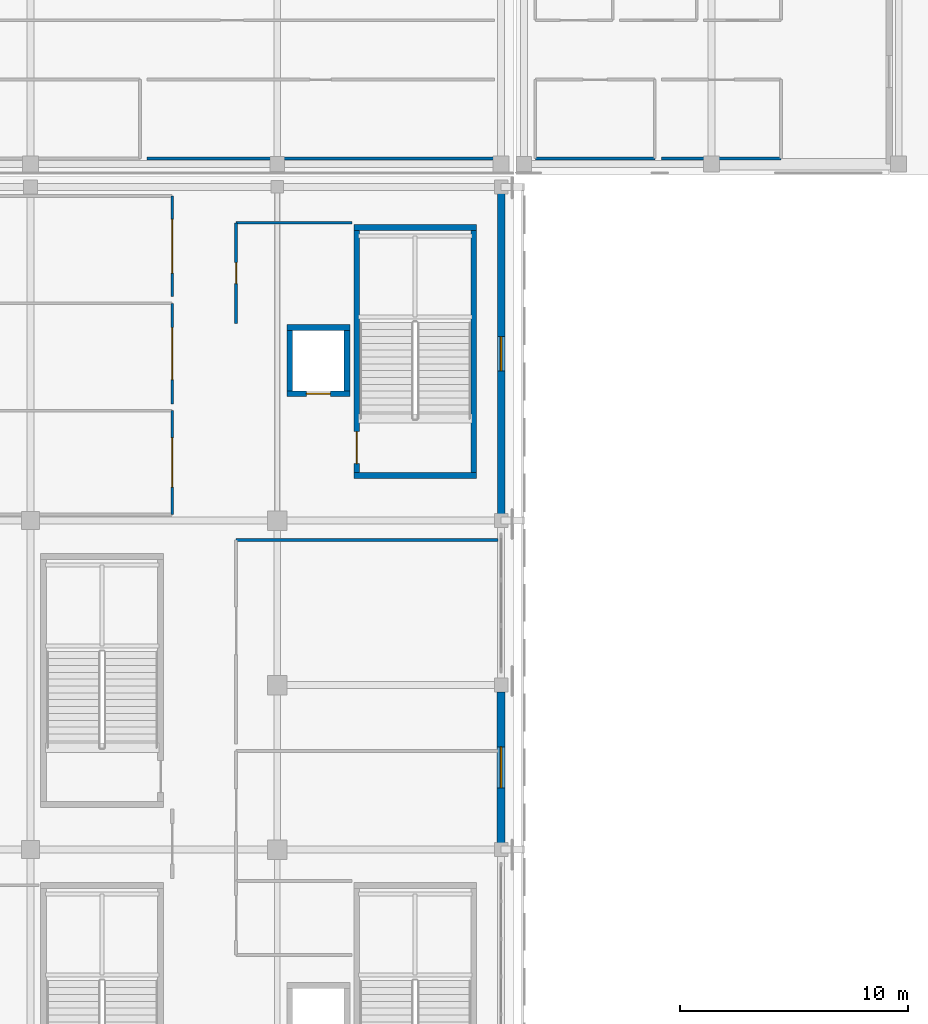
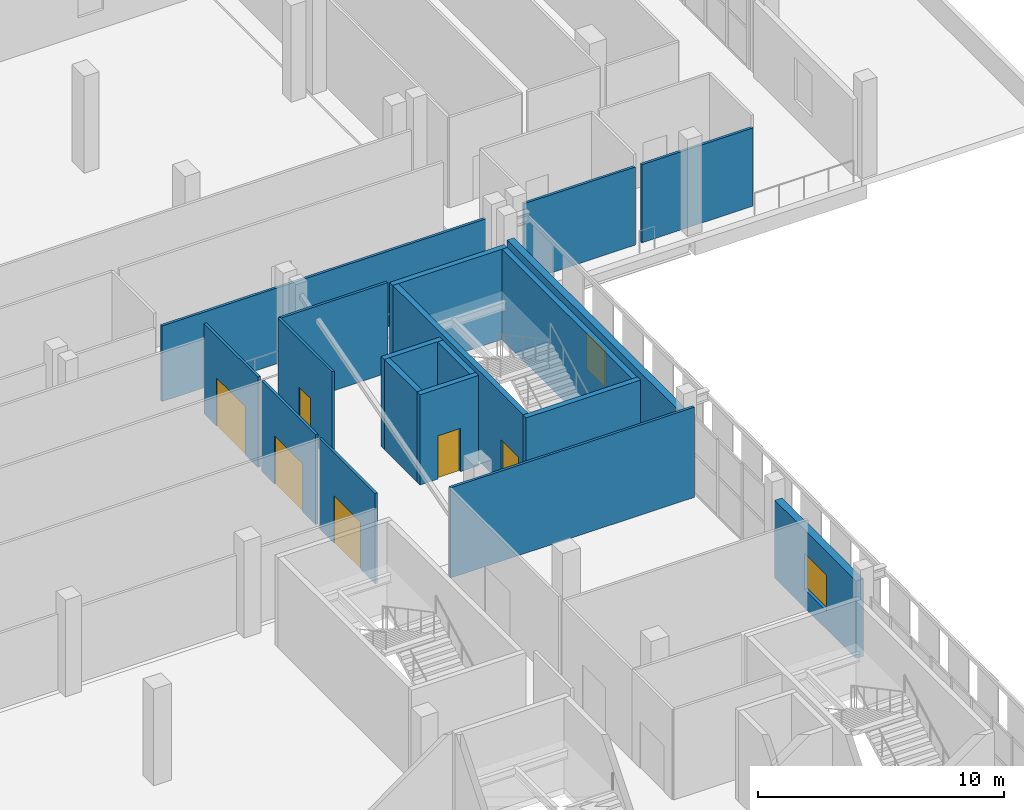
# One storey, part 101 of 142: 19 walls, 6 doors, 2 windows, 8 openings.
"""IFC4 building model written with IfcOpenShell, lengths in metres."""

from ifc_helpers import new_model, si_unit, direction, frame, frame_2d, origin, place, context, subcontext, project, spatial, rectangle, extrude, material, layer, layer_set, type_object, element, fill, save


model = new_model("IFC4")

# Units and contexts
model_context = context("Model", 3, precision=1e-05, world=origin(), true_north=direction((0.0, 1.0)))
body_context = subcontext(model_context, "Body", "Model", "MODEL_VIEW")
ifc_project = project(units=[si_unit("LENGTHUNIT", "METRE"), si_unit("AREAUNIT", "SQUARE_METRE"), si_unit("VOLUMEUNIT", "CUBIC_METRE"), si_unit("PLANEANGLEUNIT", "RADIAN"), si_unit("MASSUNIT", "GRAM", prefix="KILO")], contexts=[model_context])

# Site, building, storey
site_placement = place(None, origin())
site = spatial("IfcSite", under=ifc_project, at=site_placement, CompositionType="ELEMENT")
building_placement = place(site_placement, origin())
building = spatial("IfcBuilding", under=site, at=building_placement, Name="Koshinbarg Plaza Stadium", CompositionType="ELEMENT")
storey_placement = place(building_placement, frame((0.0, 0.0, 10.199951171875)))
storey = spatial("IfcBuildingStorey", under=building, at=storey_placement, Name="L02", CompositionType="ELEMENT", Elevation=10.199951171875)

# Walls
ifc_material_1 = material(Name="Concrete C40/50", Category="concrete")
ifc_layer_1 = layer(ifc_material_1, 0.25)
ifc_layer_set_1 = layer_set([ifc_layer_1], Name="Concrete C40/50")
wall_type_1 = type_object("IfcWallType", Name="WL-CORE-250", PredefinedType="SHEAR", material=ifc_layer_set_1)
for number, where, z_axis, x_axis, name in (
    (1, (211.949951171875, 113.875, 0.0), (0.0, 0.0, 1.0), (1.0, 0.0, 0.0), "L02 core stair shear wall C10-near IWL-L02-0242"),
    (2, (217.320068359375, 124.72509765625, 0.0), (0.0, 0.0, 1.0), (-1.0, 0.0, 0.0), "L02 core stair shear wall C10-far IWL-L02-0243"),
):
    element("IfcWall", number, at=place(storey_placement, frame(where, z_axis=z_axis, x_axis=x_axis)), inside=storey, type_object=wall_type_1, Name=name, PredefinedType="SHEAR", context=body_context, shape_type="SweptSolid", body=[
        extrude(rectangle(XDim=5.3701171875, YDim=0.25, at=frame_2d((2.68505859375, 0.0))), origin(), (0.0, 0.0, 1.0), 4.47998046875),
    ])

# Wall, opening, door
wall_1_placement = place(storey_placement, frame((212.074951171875, 113.875, 0.0), z_axis=(0.0, 0.0, 1.0), x_axis=(0.0, 1.0, 0.0)))
wall_1 = element("IfcWall", 3, at=wall_1_placement, inside=storey, type_object=wall_type_1, Name="L02 core stair shear wall C10-left IWL-L02-0244", PredefinedType="SHEAR", context=body_context, shape_type="SweptSolid", body=[
    extrude(rectangle(XDim=10.85009765625, YDim=0.25, at=frame_2d((5.425048828125, 0.0))), origin(), (0.0, 0.0, 1.0), 4.47998046875),
])
opening_1_placement = place(wall_1_placement, frame((0.52001953125, 0.0, 0.0)))
opening_1 = element("IfcOpeningElement", 4, at=opening_1_placement, cuts=wall_1, Name="Opening D-0123", PredefinedType="OPENING", context=body_context, shape_type="SweptSolid", body=[
    extrude(rectangle(XDim=1.39990234375, YDim=2.14990234375, at=frame_2d((0.699951171875, 1.074951171875))), frame((0.0, 0.135009765625, 0.0), z_axis=(0.0, -1.0, 0.0), x_axis=(1.0, 0.0, 0.0)), (0.0, 0.0, 1.0), 0.27001953125),
])
ifc_material_2 = material(Name="Painted galvanized steel fire door", Category="steel")
door_type_1 = type_object("IfcDoorType", Name="DR-STAIR-1400", OperationType="NOTDEFINED", PredefinedType="DOOR", material=ifc_material_2)
door_1_placement = place(opening_1_placement, frame((1.39990234375, 0.0, 0.0), z_axis=(0.0, 0.0, 1.0), x_axis=(-1.0, 0.0, 0.0)))
door_1 = element("IfcDoor", 5, at=door_1_placement, inside=storey, type_object=door_type_1, Name="L02 exit stair door C10", OperationType="SINGLE_SWING_LEFT", OverallHeight=2.14990234375, OverallWidth=1.39990234375, PredefinedType="DOOR", context=body_context, shape_type="SweptSolid", body=[
    extrude(rectangle(XDim=1.39990234375, YDim=2.14990234375, at=frame_2d((0.699951171875, 1.074951171875))), frame((0.0, 0.02490234375, 0.0), z_axis=(0.0, -1.0, 0.0), x_axis=(1.0, 0.0, 0.0)), (0.0, 0.0, 1.0), 0.050048828125),
])
fill(opening_1, door_1)

# Wall
wall_2_placement = place(storey_placement, frame((217.195068359375, 113.875, 0.0), z_axis=(0.0, 0.0, 1.0), x_axis=(0.0, 1.0, 0.0)))
element("IfcWall", 6, at=wall_2_placement, inside=storey, type_object=wall_type_1, Name="L02 core stair shear wall C10-right IWL-L02-0245", PredefinedType="SHEAR", context=body_context, shape_type="SweptSolid", body=[
    extrude(rectangle(XDim=10.85009765625, YDim=0.25, at=frame_2d((5.425048828125, 0.0))), origin(), (0.0, 0.0, 1.0), 4.47998046875),
])

# Wall, opening, door
wall_3_placement = place(storey_placement, frame((209.02490234375, 117.449951171875, 0.0), z_axis=(0.0, 0.0, 1.0), x_axis=(1.0, 0.0, 0.0)))
wall_3 = element("IfcWall", 7, at=wall_3_placement, inside=storey, type_object=wall_type_1, Name="L02 lift shaft shear wall LP06-S IWL-L02-0942", PredefinedType="SHEAR", context=body_context, shape_type="SweptSolid", body=[
    extrude(rectangle(XDim=2.75, YDim=0.25, at=frame_2d((1.375, 0.0))), origin(), (0.0, 0.0, 1.0), 4.47998046875),
])
opening_2_placement = place(wall_3_placement, frame((0.85009765625, 0.0, 0.0)))
opening_2 = element("IfcOpeningElement", 8, at=opening_2_placement, cuts=wall_3, Name="Opening D-0305", PredefinedType="OPENING", context=body_context, shape_type="SweptSolid", body=[
    extrude(rectangle(XDim=1.050048828125, YDim=2.14990234375, at=frame_2d((0.52490234375, 1.074951171875))), frame((0.0, 0.135009765625, 0.0), z_axis=(0.0, -1.0, 0.0), x_axis=(1.0, 0.0, 0.0)), (0.0, 0.0, 1.0), 0.27001953125),
])
ifc_material_3 = material(Name="Brushed stainless steel sliding lift landing door", Category="steel")
door_type_2 = type_object("IfcDoorType", Name="DR-LIFT-1050", OperationType="NOTDEFINED", PredefinedType="DOOR", material=ifc_material_3)
door_2_placement = place(opening_2_placement, origin())
door_2 = element("IfcDoor", 9, at=door_2_placement, inside=storey, type_object=door_type_2, Name="L02 lift landing door LP06", OperationType="SLIDING_TO_LEFT", OverallHeight=2.14990234375, OverallWidth=1.050048828125, PredefinedType="DOOR", context=body_context, shape_type="SweptSolid", body=[
    extrude(rectangle(XDim=1.050048828125, YDim=2.14990234375, at=frame_2d((0.52490234375, 1.074951171875))), frame((0.0, 0.02490234375, 0.0), z_axis=(0.0, -1.0, 0.0), x_axis=(1.0, 0.0, 0.0)), (0.0, 0.0, 1.0), 0.050048828125),
])
fill(opening_2, door_2)

# Walls
wall_4_placement = place(storey_placement, frame((211.77490234375, 120.35009765625, 0.0), z_axis=(0.0, 0.0, 1.0), x_axis=(-1.0, 0.0, 0.0)))
element("IfcWall", 10, at=wall_4_placement, inside=storey, type_object=wall_type_1, Name="L02 lift shaft shear wall LP06-N IWL-L02-0943", PredefinedType="SHEAR", context=body_context, shape_type="SweptSolid", body=[
    extrude(rectangle(XDim=2.75, YDim=0.25, at=frame_2d((1.375, 0.0))), origin(), (0.0, 0.0, 1.0), 4.47998046875),
])
for number, where, z_axis, x_axis, name in (
    (11, (209.14990234375, 120.35009765625, 0.0), (0.0, 0.0, 1.0), (0.0, -1.0, 0.0), "L02 lift shaft shear wall LP06-W IWL-L02-0944"),
    (12, (211.64990234375, 117.449951171875, 0.0), (0.0, 0.0, 1.0), (0.0, 1.0, 0.0), "L02 lift shaft shear wall LP06-E IWL-L02-0945"),
):
    element("IfcWall", number, at=place(storey_placement, frame(where, z_axis=z_axis, x_axis=x_axis)), inside=storey, type_object=wall_type_1, Name=name, PredefinedType="SHEAR", context=body_context, shape_type="SweptSolid", body=[
        extrude(rectangle(XDim=2.900146484375, YDim=0.25, at=frame_2d((1.4501953125, 0.0))), origin(), (0.0, 0.0, 1.0), 4.47998046875),
    ])

# Wall, opening, window
ifc_material_4 = material(Name="Ultramarine-blue pigmented mineral plaster facade wall", Category="masonry")
ifc_layer_2 = layer(ifc_material_4, 0.320068359375)
ifc_layer_set_2 = layer_set([ifc_layer_2], Name="Ultramarine-blue pigmented mineral plaster facade wall")
wall_type_2 = type_object("IfcWallType", Name="WL-EXT-320", PredefinedType="SOLIDWALL", material=ifc_layer_set_2)
wall_5_placement = place(storey_placement, frame((218.39990234375, 126.205078125, 0.0), z_axis=(0.0, 0.0, 1.0), x_axis=(0.0, -1.0, 0.0)))
wall_5 = element("IfcWall", 13, at=wall_5_placement, inside=storey, type_object=wall_type_2, Name="L02 exterior envelope wall EWL-L02-0126", PredefinedType="SOLIDWALL", context=body_context, shape_type="SweptSolid", body=[
    extrude(rectangle(XDim=14.010009765625, YDim=0.320068359375, at=frame_2d((7.0048828125, 0.0))), origin(), (0.0, 0.0, 1.0), 3.56005859375),
])
opening_3_placement = place(wall_5_placement, frame((6.2548828125, 0.0, 0.89990234375)))
opening_3 = element("IfcOpeningElement", 14, at=opening_3_placement, cuts=wall_5, Name="Opening WN08", PredefinedType="OPENING", context=body_context, shape_type="SweptSolid", body=[
    extrude(rectangle(XDim=1.5, YDim=1.800048828125, at=frame_2d((0.75, 0.89990234375))), frame((0.0, 0.169921875, 0.0), z_axis=(0.0, -1.0, 0.0), x_axis=(1.0, 0.0, 0.0)), (0.0, 0.0, 1.0), 0.340087890625),
])
ifc_material_5 = material(Name="Solar-control double glazing in thermally broken aluminium frame", Category="aluminium")
window_type_1 = type_object("IfcWindowType", Name="WN-FAC-08", PartitioningType="DOUBLE_PANEL_VERTICAL", PredefinedType="WINDOW", material=ifc_material_5)
window_1_placement = place(opening_3_placement, origin())
window_1 = element("IfcWindow", 15, at=window_1_placement, inside=storey, type_object=window_type_1, Name="L02 facade window 0063", OverallHeight=1.800048828125, OverallWidth=1.5, PartitioningType="SINGLE_PANEL", PredefinedType="WINDOW", context=body_context, shape_type="SweptSolid", body=[
    extrude(rectangle(XDim=1.5, YDim=1.800048828125, at=frame_2d((0.75, 0.89990234375))), frame((0.0, 0.030029296875, 0.0), z_axis=(0.0, -1.0, 0.0), x_axis=(1.0, 0.0, 0.0)), (0.0, 0.0, 1.0), 0.06005859375),
])
fill(opening_3, window_1)

ifc_material_6 = material(Name="Acoustic insulated masonry stadium wall", Category="masonry")
ifc_layer_3 = layer(ifc_material_6, 0.35009765625)
ifc_layer_set_3 = layer_set([ifc_layer_3], Name="Acoustic insulated masonry stadium wall")
wall_type_3 = type_object("IfcWallType", Name="WL-EXT-350", PredefinedType="SOLIDWALL", material=ifc_layer_set_3)
wall_6_placement = place(storey_placement, frame((218.39990234375, 104.405029296875, 0.0), z_axis=(0.0, 0.0, 1.0), x_axis=(0.0, -1.0, 0.0)))
wall_6 = element("IfcWall", 16, at=wall_6_placement, inside=storey, type_object=wall_type_3, Name="L02 exterior envelope wall EWL-L02-0127", PredefinedType="SOLIDWALL", context=body_context, shape_type="SweptSolid", body=[
    extrude(rectangle(XDim=6.610107421875, YDim=0.35009765625, at=frame_2d((3.30517578125, 0.0))), origin(), (0.0, 0.0, 1.0), 3.860107421875),
])
opening_4_placement = place(wall_6_placement, frame((2.405029296875, 0.0, 0.89990234375)))
opening_4 = element("IfcOpeningElement", 17, at=opening_4_placement, cuts=wall_6, Name="Opening WN09", PredefinedType="OPENING", context=body_context, shape_type="SweptSolid", body=[
    extrude(rectangle(XDim=1.800048828125, YDim=1.800048828125, at=frame_2d((0.89990234375, 0.89990234375))), frame((0.0, 0.18505859375, 0.0), z_axis=(0.0, -1.0, 0.0), x_axis=(1.0, 0.0, 0.0)), (0.0, 0.0, 1.0), 0.3701171875),
])
window_type_2 = type_object("IfcWindowType", Name="WN-FAC-09", PartitioningType="DOUBLE_PANEL_VERTICAL", PredefinedType="WINDOW", material=ifc_material_5)
window_2_placement = place(opening_4_placement, origin())
window_2 = element("IfcWindow", 18, at=window_2_placement, inside=storey, type_object=window_type_2, Name="L02 facade window 0064", OverallHeight=1.800048828125, OverallWidth=1.800048828125, PartitioningType="SINGLE_PANEL", PredefinedType="WINDOW", context=body_context, shape_type="SweptSolid", body=[
    extrude(rectangle(XDim=1.800048828125, YDim=1.800048828125, at=frame_2d((0.89990234375, 0.89990234375))), frame((0.0, 0.030029296875, 0.0), z_axis=(0.0, -1.0, 0.0), x_axis=(1.0, 0.0, 0.0)), (0.0, 0.0, 1.0), 0.06005859375),
])
fill(opening_4, window_2)

# Wall
ifc_material_7 = material(Name="Gypsum board metal-stud acoustic partition")
ifc_layer_4 = layer(ifc_material_7, 0.1201171875)
ifc_layer_set_4 = layer_set([ifc_layer_4], Name="Gypsum board metal-stud acoustic partition")
wall_type_4 = type_object("IfcWallType", Name="WL-PART-120", PredefinedType="PARTITIONING", material=ifc_layer_set_4)
wall_7_placement = place(storey_placement, frame((218.2548828125, 111.050048828125, 0.0), z_axis=(0.0, 0.0, 1.0), x_axis=(-1.0, 0.0, 0.0)))
element("IfcWall", 19, at=wall_7_placement, inside=storey, type_object=wall_type_4, Name="L02 interior partition L02-98-north IWL-L02-1726", PredefinedType="PARTITIONING", context=body_context, shape_type="SweptSolid", body=[
    extrude(rectangle(XDim=11.454833984375, YDim=0.1201171875, at=frame_2d((5.7275390625, 0.0))), origin(), (0.0, 0.0, 1.0), 4.47998046875),
])

# Wall, opening, door
wall_8_placement = place(storey_placement, frame((204.0, 112.169921875, 0.0), z_axis=(0.0, 0.0, 1.0), x_axis=(0.0, 1.0, 0.0)))
wall_8 = element("IfcWall", 20, at=wall_8_placement, inside=storey, type_object=wall_type_4, Name="L02 interior partition L02-99-east IWL-L02-1729", PredefinedType="PARTITIONING", context=body_context, shape_type="SweptSolid", body=[
    extrude(rectangle(XDim=4.5400390625, YDim=0.1201171875, at=frame_2d((2.27001953125, 0.0))), origin(), (0.0, 0.0, 1.0), 4.47998046875),
])
opening_5_placement = place(wall_8_placement, frame((1.18994140625, 0.0, 0.0)))
opening_5 = element("IfcOpeningElement", 21, at=opening_5_placement, cuts=wall_8, Name="Opening D-0586", PredefinedType="OPENING", context=body_context, shape_type="SweptSolid", body=[
    extrude(rectangle(XDim=2.159912109375, YDim=2.35009765625, at=frame_2d((1.080078125, 1.175048828125))), frame((0.0, 0.070068359375, 0.0), z_axis=(0.0, -1.0, 0.0), x_axis=(1.0, 0.0, 0.0)), (0.0, 0.0, 1.0), 0.14013671875),
])
ifc_material_8 = material(Name="Galvanized painted steel double leaf door", Category="steel")
door_type_3 = type_object("IfcDoorType", Name="DR-INT-2160x2350", OperationType="NOTDEFINED", PredefinedType="DOOR", material=ifc_material_8)
door_3_placement = place(opening_5_placement, origin())
door_3 = element("IfcDoor", 22, at=door_3_placement, inside=storey, type_object=door_type_3, Name="L02 Supporters' Banquet Lounge door D-0586", OperationType="DOUBLE_DOOR_SINGLE_SWING", OverallHeight=2.35009765625, OverallWidth=2.159912109375, PredefinedType="DOOR", context=body_context, shape_type="SweptSolid", body=[
    extrude(rectangle(XDim=2.159912109375, YDim=2.35009765625, at=frame_2d((1.080078125, 1.175048828125))), frame((0.0, 0.02490234375, 0.0), z_axis=(0.0, -1.0, 0.0), x_axis=(1.0, 0.0, 0.0)), (0.0, 0.0, 1.0), 0.050048828125),
])
fill(opening_5, door_3)

wall_9_placement = place(storey_placement, frame((204.0, 117.010009765625, 0.0), z_axis=(0.0, 0.0, 1.0), x_axis=(0.0, 1.0, 0.0)))
wall_9 = element("IfcWall", 23, at=wall_9_placement, inside=storey, type_object=wall_type_4, Name="L02 interior partition L02-100-east IWL-L02-1732", PredefinedType="PARTITIONING", context=body_context, shape_type="SweptSolid", body=[
    extrude(rectangle(XDim=4.3974609375, YDim=0.1201171875, at=frame_2d((2.19873046875, 0.0))), origin(), (0.0, 0.0, 1.0), 4.47998046875),
])
opening_6_placement = place(wall_9_placement, frame((1.05859375, 0.0, 0.0)))
opening_6 = element("IfcOpeningElement", 24, at=opening_6_placement, cuts=wall_9, Name="Opening D-0587", PredefinedType="OPENING", context=body_context, shape_type="SweptSolid", body=[
    extrude(rectangle(XDim=2.280029296875, YDim=2.39990234375, at=frame_2d((1.14013671875, 1.199951171875))), frame((0.0, 0.070068359375, 0.0), z_axis=(0.0, -1.0, 0.0), x_axis=(1.0, 0.0, 0.0)), (0.0, 0.0, 1.0), 0.14013671875),
])
ifc_material_9 = material(Name="Anodised aluminium and laminated glass portal door", Category="aluminium")
door_type_4 = type_object("IfcDoorType", Name="DR-INT-2280x2400", OperationType="NOTDEFINED", PredefinedType="DOOR", material=ifc_material_9)
door_4_placement = place(opening_6_placement, origin())
door_4 = element("IfcDoor", 25, at=door_4_placement, inside=storey, type_object=door_type_4, Name="L02 East Catering Kitchen door D-0587", OperationType="DOUBLE_DOOR_SINGLE_SWING", OverallHeight=2.39990234375, OverallWidth=2.280029296875, PredefinedType="DOOR", context=body_context, shape_type="SweptSolid", body=[
    extrude(rectangle(XDim=2.280029296875, YDim=2.39990234375, at=frame_2d((1.14013671875, 1.199951171875))), frame((0.0, 0.02490234375, 0.0), z_axis=(0.0, -1.0, 0.0), x_axis=(1.0, 0.0, 0.0)), (0.0, 0.0, 1.0), 0.050048828125),
])
fill(opening_6, door_4)

wall_10_placement = place(storey_placement, frame((204.0, 121.70751953125, 0.0), z_axis=(0.0, 0.0, 1.0), x_axis=(0.0, 1.0, 0.0)))
wall_10 = element("IfcWall", 26, at=wall_10_placement, inside=storey, type_object=wall_type_4, Name="L02 interior partition L02-101-east IWL-L02-1735", PredefinedType="PARTITIONING", context=body_context, shape_type="SweptSolid", body=[
    extrude(rectangle(XDim=4.3974609375, YDim=0.1201171875, at=frame_2d((2.19873046875, 0.0))), origin(), (0.0, 0.0, 1.0), 4.47998046875),
])
opening_7_placement = place(wall_10_placement, frame((1.018798828125, 0.0, 0.0)))
opening_7 = element("IfcOpeningElement", 27, at=opening_7_placement, cuts=wall_10, Name="Opening D-0588", PredefinedType="OPENING", context=body_context, shape_type="SweptSolid", body=[
    extrude(rectangle(XDim=2.360107421875, YDim=2.39990234375, at=frame_2d((1.18017578125, 1.199951171875))), frame((0.0, 0.070068359375, 0.0), z_axis=(0.0, -1.0, 0.0), x_axis=(1.0, 0.0, 0.0)), (0.0, 0.0, 1.0), 0.14013671875),
])
ifc_material_10 = material(Name="Powder-coated steel and tempered glass double door", Category="steel")
door_type_5 = type_object("IfcDoorType", Name="DR-INT-2360x2400", OperationType="NOTDEFINED", PredefinedType="DOOR", material=ifc_material_10)
door_5_placement = place(opening_7_placement, origin())
door_5 = element("IfcDoor", 28, at=door_5_placement, inside=storey, type_object=door_type_5, Name="L02 East Club Concourse door D-0588", OperationType="DOUBLE_DOOR_SINGLE_SWING", OverallHeight=2.39990234375, OverallWidth=2.360107421875, PredefinedType="DOOR", context=body_context, shape_type="SweptSolid", body=[
    extrude(rectangle(XDim=2.360107421875, YDim=2.39990234375, at=frame_2d((1.18017578125, 1.199951171875))), frame((0.0, 0.02490234375, 0.0), z_axis=(0.0, -1.0, 0.0), x_axis=(1.0, 0.0, 0.0)), (0.0, 0.0, 1.0), 0.050048828125),
])
fill(opening_7, door_5)

# Wall
wall_11_placement = place(storey_placement, frame((211.8701171875, 124.929931640625, 0.0), z_axis=(0.0, 0.0, 1.0), x_axis=(-1.0, 0.0, 0.0)))
element("IfcWall", 29, at=wall_11_placement, inside=storey, type_object=wall_type_4, Name="L02 interior partition L02-102-north IWL-L02-1738", PredefinedType="PARTITIONING", context=body_context, shape_type="SweptSolid", body=[
    extrude(rectangle(XDim=5.070068359375, YDim=0.1201171875, at=frame_2d((2.53515625, 0.0))), origin(), (0.0, 0.0, 1.0), 4.47998046875),
])

# Wall, opening, door
wall_12_placement = place(storey_placement, frame((206.800048828125, 124.929931640625, 0.0), z_axis=(0.0, 0.0, 1.0), x_axis=(0.0, -1.0, 0.0)))
wall_12 = element("IfcWall", 30, at=wall_12_placement, inside=storey, type_object=wall_type_4, Name="L02 interior partition L02-102-west IWL-L02-1739", PredefinedType="PARTITIONING", context=body_context, shape_type="SweptSolid", body=[
    extrude(rectangle(XDim=4.39990234375, YDim=0.1201171875, at=frame_2d((2.199951171875, 0.0))), origin(), (0.0, 0.0, 1.0), 4.47998046875),
])
opening_8_placement = place(wall_12_placement, frame((1.739990234375, 0.0, 0.0)))
opening_8 = element("IfcOpeningElement", 31, at=opening_8_placement, cuts=wall_12, Name="Opening D-0589", PredefinedType="OPENING", context=body_context, shape_type="SweptSolid", body=[
    extrude(rectangle(XDim=0.919921875, YDim=2.10009765625, at=frame_2d((0.4599609375, 1.050048828125))), frame((0.0, 0.070068359375, 0.0), z_axis=(0.0, -1.0, 0.0), x_axis=(1.0, 0.0, 0.0)), (0.0, 0.0, 1.0), 0.14013671875),
])
ifc_material_11 = material(Name="Solid-core oak veneer acoustic door")
door_type_6 = type_object("IfcDoorType", Name="DR-INT-0920x2100", OperationType="NOTDEFINED", PredefinedType="DOOR", material=ifc_material_11)
door_6_placement = place(opening_8_placement, origin())
door_6 = element("IfcDoor", 32, at=door_6_placement, inside=storey, type_object=door_type_6, Name="L02 East Club Concourse door D-0589", OperationType="SINGLE_SWING_LEFT", OverallHeight=2.10009765625, OverallWidth=0.919921875, PredefinedType="DOOR", context=body_context, shape_type="SweptSolid", body=[
    extrude(rectangle(XDim=0.919921875, YDim=2.10009765625, at=frame_2d((0.4599609375, 1.050048828125))), frame((0.0, 0.02490234375, 0.0), z_axis=(0.0, -1.0, 0.0), x_axis=(1.0, 0.0, 0.0)), (0.0, 0.0, 1.0), 0.050048828125),
])
fill(opening_8, door_6)

# Walls
wall_13_placement = place(storey_placement, frame((202.893310546875, 127.7451171875, 0.0), z_axis=(0.0, 0.0, 1.0), x_axis=(1.0, 0.0, 0.0)))
element("IfcWall", 33, at=wall_13_placement, inside=storey, type_object=wall_type_4, Name="L02 interior partition L02-119-south IWL-L02-1789", PredefinedType="PARTITIONING", context=body_context, shape_type="SweptSolid", body=[
    extrude(rectangle(XDim=15.211669921875, YDim=0.1201171875, at=frame_2d((7.60595703125, 0.0))), origin(), (0.0, 0.0, 1.0), 3.760009765625),
])
wall_14_placement = place(storey_placement, frame((219.89501953125, 127.7451171875, 0.0), z_axis=(0.0, 0.0, 1.0), x_axis=(1.0, 0.0, 0.0)))
element("IfcWall", 34, at=wall_14_placement, inside=storey, type_object=wall_type_4, Name="L02 interior partition L02-122-south IWL-L02-1795", PredefinedType="PARTITIONING", context=body_context, shape_type="SweptSolid", body=[
    extrude(rectangle(XDim=5.2275390625, YDim=0.1201171875, at=frame_2d((2.61376953125, 0.0))), origin(), (0.0, 0.0, 1.0), 3.880126953125),
])
wall_15_placement = place(storey_placement, frame((225.422607421875, 127.7451171875, 0.0), z_axis=(0.0, 0.0, 1.0), x_axis=(1.0, 0.0, 0.0)))
element("IfcWall", 35, at=wall_15_placement, inside=storey, type_object=wall_type_4, Name="L02 interior partition L02-123-south IWL-L02-1799", PredefinedType="PARTITIONING", context=body_context, shape_type="SweptSolid", body=[
    extrude(rectangle(XDim=5.227294921875, YDim=0.1201171875, at=frame_2d((2.61376953125, 0.0))), origin(), (0.0, 0.0, 1.0), 3.880126953125),
])

save(model, "model.ifc")
